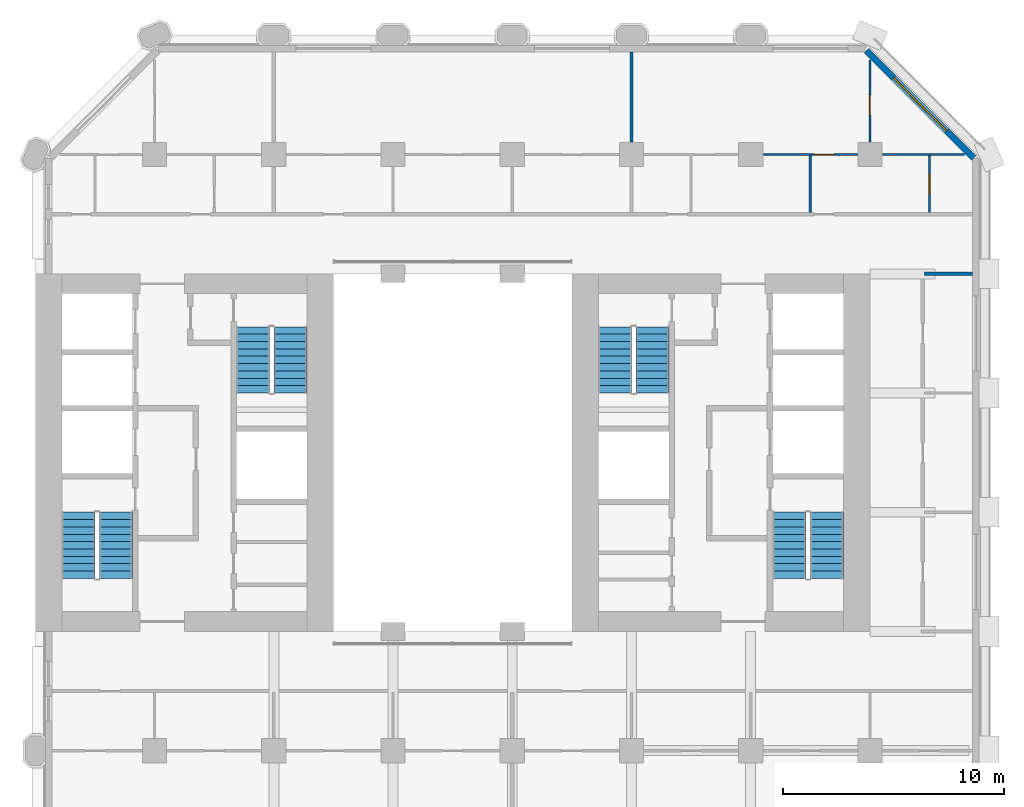
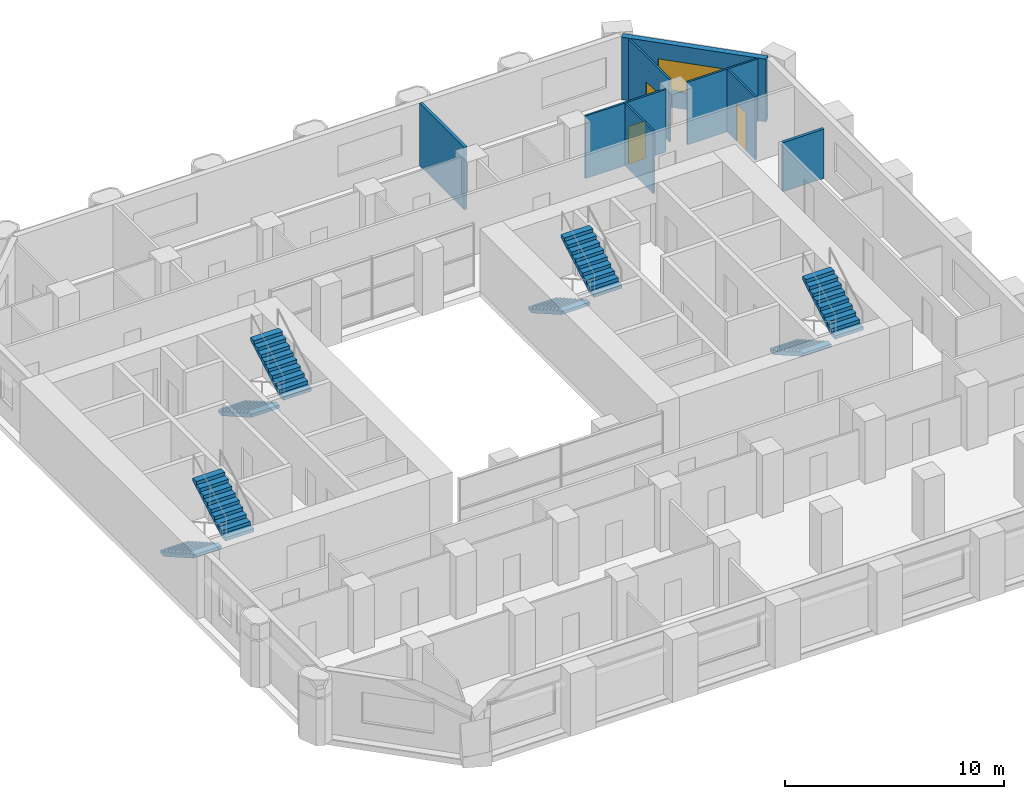
# One storey, part 11 of 13: 8 stair flights, 8 walls, 3 doors, 1 window, 4 openings, 4 elements without a shape of their own.
"""IFC4 building model written with IfcOpenShell, lengths in metres."""

import ifcopenshell
import ifcopenshell.guid

model = None  # the IFC model being written
_history = None  # IfcOwnerHistory: only IFC2X3 demands one
_inside = {}  # id of a spatial element -> (the spatial element, [elements in it])
_under = {}  # id of a project, library or spatial element -> (it, [spatial elements below it])
_declared = {}  # id of a project -> (the project, [libraries it declares])
_typed = {}  # id of a type object -> (the type object, [elements of that type])
_made_of = {}  # id of a material, layer set ... -> (it, [elements and type objects made of it])


def new_model(schema):
    """Start an empty IFC model of exactly this schema.

    Asked for "IFC4X3", IfcOpenShell would pick the latest addendum, in which some entities
    have other attributes; the version numbers below select the first issue.
    IFC2X3 requires an IfcOwnerHistory on every rooted entity: one is made here for all.
    """
    global model, _history
    if schema == "IFC4X3":
        model = ifcopenshell.file(schema_version=(4, 3, 0, 0))
    else:
        model = ifcopenshell.file(schema=schema)
    _inside.clear()
    _under.clear()
    _declared.clear()
    _typed.clear()
    _made_of.clear()
    _history = None
    if model.schema == "IFC2X3":
        org = make("IfcOrganization", Name="unknown")
        user = make(
            "IfcPersonAndOrganization",
            ThePerson=make("IfcPerson", FamilyName="unknown"),
            TheOrganization=org,
        )
        app = make(
            "IfcApplication",
            ApplicationDeveloper=org,
            Version="unknown",
            ApplicationFullName="unknown",
            ApplicationIdentifier="unknown",
        )
        _history = make(
            "IfcOwnerHistory",
            OwningUser=user,
            OwningApplication=app,
            ChangeAction="ADDED",
            CreationDate=0,
        )
    return model


def make(cls, **values):
    """One entity of the class cls with the attributes given. An attribute that is None is left unset."""
    return model.create_entity(
        cls, **{name: value for name, value in values.items() if value is not None}
    )


def rooted(cls, **values):
    """An entity with a GlobalId (a new one), such as an element, a storey or a relation."""
    return make(cls, GlobalId=ifcopenshell.guid.new(), OwnerHistory=_history, **values)


def si_unit(unit_type, name, prefix=None):
    """IfcSIUnit, for example si_unit("LENGTHUNIT", "METRE", prefix="MILLI")."""
    return make("IfcSIUnit", UnitType=unit_type, Prefix=prefix, Name=name)


def assignment(units):
    """IfcUnitAssignment: the units of a project."""
    return None if units is None else make("IfcUnitAssignment", Units=units)


def point(xyz):
    """IfcCartesianPoint."""
    return None if xyz is None else make("IfcCartesianPoint", Coordinates=xyz)


def direction(xyz):
    """IfcDirection."""
    return None if xyz is None else make("IfcDirection", DirectionRatios=xyz)


def frame(location, z_axis=None, x_axis=None):
    """IfcAxis2Placement3D, a coordinate frame: its origin and axes. An axis left out is left unset."""
    return make(
        "IfcAxis2Placement3D",
        Location=point(location),
        Axis=direction(z_axis),
        RefDirection=direction(x_axis),
    )


def frame_2d(location, x_axis=None):
    """IfcAxis2Placement2D, a coordinate frame in the plane: its origin and x axis."""
    return make(
        "IfcAxis2Placement2D", Location=point(location), RefDirection=direction(x_axis)
    )


def origin():
    """The frame at (0, 0, 0) with its axes left unset."""
    return frame((0.0, 0.0, 0.0))


def place(relative_to, where):
    """IfcLocalPlacement: puts the frame where relative to a parent placement (None: the world)."""
    return make(
        "IfcLocalPlacement", PlacementRelTo=relative_to, RelativePlacement=where
    )


def context(
    kind, dimensions, precision=None, world=None, true_north=None, identifier=None
):
    """IfcGeometricRepresentationContext, for example the 3D "Model" context."""
    return make(
        "IfcGeometricRepresentationContext",
        ContextIdentifier=identifier,
        ContextType=kind,
        CoordinateSpaceDimension=dimensions,
        Precision=precision,
        WorldCoordinateSystem=world,
        TrueNorth=true_north,
    )


def subcontext(parent, identifier, kind, view, scale=None):
    """IfcGeometricRepresentationSubContext, for example "Body" below "Model"."""
    return make(
        "IfcGeometricRepresentationSubContext",
        ContextIdentifier=identifier,
        ContextType=kind,
        ParentContext=parent,
        TargetScale=scale,
        TargetView=view,
    )


def project(units=None, contexts=None):
    """IfcProject with its units and contexts."""
    return rooted(
        "IfcProject",
        Name="project",
        RepresentationContexts=contexts,
        UnitsInContext=assignment(units),
    )


def spatial(cls, under=None, at=None, **own):
    """A site, building, storey or space (cls), placed at a placement, below another one or the project."""
    s = rooted(cls, ObjectPlacement=at, **own)
    if under is not None:
        _under.setdefault(under.id(), (under, []))[1].append(s)
    return s


def polyline(points):
    """IfcPolyline through the points."""
    return make("IfcPolyline", Points=[point(p) for p in points])


def profile(cls, at=None, kind="AREA", **sizes):
    """A parametric profile (cls). Its sizes go by their IFC names, for example OverallWidth=200.0."""
    return make(cls, ProfileType=kind, Position=at, **sizes)


def rectangle(**sizes):
    """IfcRectangleProfileDef."""
    return profile("IfcRectangleProfileDef", **sizes)


def outline(outer, holes=None, kind="AREA"):
    """IfcArbitraryClosedProfileDef: a profile drawn as a closed curve; with holes, ...WithVoids."""
    if holes is None:
        return make("IfcArbitraryClosedProfileDef", ProfileType=kind, OuterCurve=outer)
    return make(
        "IfcArbitraryProfileDefWithVoids",
        ProfileType=kind,
        OuterCurve=outer,
        InnerCurves=holes,
    )


def extrude(swept, where, along, depth):
    """IfcExtrudedAreaSolid: the profile swept, set in the frame where, extruded along a direction by depth."""
    return make(
        "IfcExtrudedAreaSolid",
        SweptArea=swept,
        Position=where,
        ExtrudedDirection=direction(along),
        Depth=depth,
    )


def shape(context_of_items, identifier, shape_type, items):
    """IfcShapeRepresentation: the items that make up one representation, for example the "Body"."""
    return make(
        "IfcShapeRepresentation",
        ContextOfItems=context_of_items,
        RepresentationIdentifier=identifier,
        RepresentationType=shape_type,
        Items=items,
    )


def material(Name=None, Category=None):
    """IfcMaterial."""
    return make("IfcMaterial", Name=Name, Category=Category)


def layer(
    of_material, thickness, ventilated=None, Name=None, Category=None, Priority=None
):
    """IfcMaterialLayer: one layer of a wall or slab, of a material (None: an air gap)."""
    return make(
        "IfcMaterialLayer",
        Material=of_material,
        LayerThickness=thickness,
        IsVentilated=ventilated,
        Name=Name,
        Category=Category,
        Priority=Priority,
    )


def layer_set(layers, Name=None):
    """IfcMaterialLayerSet."""
    return make("IfcMaterialLayerSet", MaterialLayers=layers, LayerSetName=Name)


def made_of(thing, what):
    """Note that an element or type object is made of a material, layer set ...; save() writes the relation."""
    if what is not None:
        _made_of.setdefault(what.id(), (what, []))[1].append(thing)
    return thing


def type_object(cls, material=None, **own):
    """A type object (cls), such as IfcWallType, which elements share."""
    return made_of(rooted(cls, **own), material)


def element(
    cls,
    number,
    at=None,
    inside=None,
    cuts=None,
    type_object=None,
    material=None,
    context=None,
    identifier="Body",
    shape_type=None,
    held_by="IfcProductDefinitionShape",
    body=None,
    shapes=None,
    **own,
):
    """One element of the class cls, such as IfcWall. Its Tag is "e" and its number.

    at: its placement. inside: the storey or other place that contains it. cuts: it is an
    opening in that element (IfcRelVoidsElement). A single representation is given by context,
    identifier, shape_type and body (its items); several are given by shapes. held_by: the class
    of the entity that holds the representations. save() writes the other relations.
    """
    e = rooted(cls, Tag="e%d" % number, ObjectPlacement=at, **own)
    if body is not None:
        shapes = [shape(context, identifier, shape_type, body)]
    if shapes is not None:
        e.Representation = make(held_by, Representations=shapes)
    if inside is not None:
        _inside.setdefault(inside.id(), (inside, []))[1].append(e)
    if cuts is not None:
        rooted(
            "IfcRelVoidsElement", RelatingBuildingElement=cuts, RelatedOpeningElement=e
        )
    if type_object is not None:
        _typed.setdefault(type_object.id(), (type_object, []))[1].append(e)
    return made_of(e, material)


def fill(opening, filler):
    """IfcRelFillsElement: the door or window that sits in an opening."""
    return rooted(
        "IfcRelFillsElement",
        RelatingOpeningElement=opening,
        RelatedBuildingElement=filler,
    )


def aggregate(whole, parts):
    """IfcRelAggregates: a whole, such as a stair, and the parts it consists of."""
    return rooted("IfcRelAggregates", RelatingObject=whole, RelatedObjects=parts)


def save(model, path):
    """Write the relations noted so far, then the file.

    IfcRelAggregates (storeys below a building ...), IfcRelContainedInSpatialStructure (elements
    in a storey), IfcRelDefinesByType, IfcRelAssociatesMaterial and IfcRelDeclares: one each for
    every whole, place, type object, material and project.
    """
    for whole, parts in _under.values():
        aggregate(whole, parts)
    for where, things in _inside.values():
        rooted(
            "IfcRelContainedInSpatialStructure",
            RelatedElements=things,
            RelatingStructure=where,
        )
    for kind, things in _typed.values():
        rooted("IfcRelDefinesByType", RelatedObjects=things, RelatingType=kind)
    for what, things in _made_of.values():
        rooted("IfcRelAssociatesMaterial", RelatedObjects=things, RelatingMaterial=what)
    for by, libraries in _declared.values():
        rooted("IfcRelDeclares", RelatingContext=by, RelatedDefinitions=libraries)
    model.write(path)


model = new_model("IFC4")

# Units and contexts
model_context = context("Model", 3, precision=1e-05, world=origin(), true_north=direction((0.0, 1.0)))
body_context = subcontext(model_context, "Body", "Model", "MODEL_VIEW")
ifc_project = project(units=[si_unit("LENGTHUNIT", "METRE"), si_unit("AREAUNIT", "SQUARE_METRE"), si_unit("VOLUMEUNIT", "CUBIC_METRE"), si_unit("PLANEANGLEUNIT", "RADIAN"), si_unit("MASSUNIT", "GRAM", prefix="KILO")], contexts=[model_context])

# Site, building, storey
site_placement = place(None, origin())
site = spatial("IfcSite", under=ifc_project, at=site_placement, CompositionType="ELEMENT")
building_placement = place(site_placement, origin())
building = spatial("IfcBuilding", under=site, at=building_placement, Name="Tabaq Tower and Sports Hall", CompositionType="ELEMENT")
storey_placement = place(building_placement, frame((0.0, 0.0, 48.800048828125)))
storey = spatial("IfcBuildingStorey", under=building, at=storey_placement, Name="L10", CompositionType="ELEMENT", Elevation=48.800048828125)

# Wall
ifc_material_1 = material(Name="Gypsum board on steel studs", Category="steel")
ifc_layer_1 = layer(ifc_material_1, 0.10009765625)
ifc_layer_set_1 = layer_set([ifc_layer_1], Name="Partition 100 Gypsum board")
wall_type_1 = type_object("IfcWallType", Name="Partition 100 Gypsum board", PredefinedType="PARTITIONING", material=ifc_layer_set_1)
wall_1_placement = place(storey_placement, frame((40.5, 35.175048828125, 0.0), z_axis=(0.0, 0.0, 1.0), x_axis=(0.0, 1.0, 0.0)))
element("IfcWall", 1, at=wall_1_placement, inside=storey, type_object=wall_type_1, Name="Partition wall L10", PredefinedType="PARTITIONING", context=body_context, shape_type="SweptSolid", body=[
    extrude(rectangle(XDim=2.574951171875, YDim=0.10009765625, at=frame_2d((1.28759765625, 0.0))), origin(), (0.0, 0.0, 1.0), 3.5),
])

# Wall, opening, door
wall_2_placement = place(storey_placement, frame((45.89990234375, 35.175048828125, 0.0), z_axis=(0.0, 0.0, 1.0), x_axis=(0.0, 1.0, 0.0)))
wall_2 = element("IfcWall", 2, at=wall_2_placement, inside=storey, type_object=wall_type_1, Name="Partition wall L10", PredefinedType="PARTITIONING", context=body_context, shape_type="SweptSolid", body=[
    extrude(rectangle(XDim=2.574951171875, YDim=0.10009765625, at=frame_2d((1.28759765625, 0.0))), origin(), (0.0, 0.0, 1.0), 3.5),
])
opening_1_placement = place(wall_2_placement, frame((0.824951171875, 0.0, 0.0)))
opening_1 = element("IfcOpeningElement", 3, at=opening_1_placement, cuts=wall_2, Name="Opening L10-011", PredefinedType="OPENING", context=body_context, shape_type="SweptSolid", body=[
    extrude(rectangle(XDim=0.89990234375, YDim=2.10009765625, at=frame_2d((0.449951171875, 1.050048828125))), frame((0.0, 0.050048828125, 0.0), z_axis=(0.0, -1.0, 0.0), x_axis=(1.0, 0.0, 0.0)), (0.0, 0.0, 1.0), 0.10009765625),
])
ifc_material_2 = material(Name="Timber leaf in steel frame", Category="steel")
door_type_1 = type_object("IfcDoorType", Name="Internal door 900 right hand", OperationType="SINGLE_SWING_RIGHT", PredefinedType="DOOR", material=ifc_material_2)
door_1_placement = place(opening_1_placement, origin())
door_1 = element("IfcDoor", 4, at=door_1_placement, inside=storey, type_object=door_type_1, Name="Internal door L10-011", OperationType="SINGLE_SWING_RIGHT", OverallHeight=2.10009765625, OverallWidth=0.89990234375, PredefinedType="DOOR", context=body_context, shape_type="SweptSolid", body=[
    extrude(rectangle(XDim=0.89990234375, YDim=2.10009765625, at=frame_2d((0.449951171875, 1.050048828125))), frame((0.0, 0.02490234375, 0.0), z_axis=(0.0, -1.0, 0.0), x_axis=(1.0, 0.0, 0.0)), (0.0, 0.0, 1.0), 0.050048828125),
])
fill(opening_1, door_1)

wall_3_placement = place(storey_placement, frame((42.6298828125, 37.800048828125, 0.0), z_axis=(0.0, 0.0, 1.0), x_axis=(-1.0, 0.0, 0.0)))
wall_3 = element("IfcWall", 5, at=wall_3_placement, inside=storey, type_object=wall_type_1, Name="Partition wall L10", PredefinedType="PARTITIONING", context=body_context, shape_type="SweptSolid", body=[
    extrude(rectangle(XDim=4.259765625, YDim=0.10009765625, at=frame_2d((2.1298828125, 0.0))), origin(), (0.0, 0.0, 1.0), 3.5),
])
opening_2_placement = place(wall_3_placement, frame((1.06005859375, 0.0, 0.0)))
opening_2 = element("IfcOpeningElement", 6, at=opening_2_placement, cuts=wall_3, Name="Opening L10-031", PredefinedType="OPENING", context=body_context, shape_type="SweptSolid", body=[
    extrude(rectangle(XDim=0.89990234375, YDim=2.10009765625, at=frame_2d((0.449951171875, 1.050048828125))), frame((0.0, 0.050048828125, 0.0), z_axis=(0.0, -1.0, 0.0), x_axis=(1.0, 0.0, 0.0)), (0.0, 0.0, 1.0), 0.10009765625),
])
ifc_material_3 = material(Name="Timber leaf in steel frame", Category="steel")
door_type_2 = type_object("IfcDoorType", Name="Internal door 900 left hand", OperationType="SINGLE_SWING_LEFT", PredefinedType="DOOR", material=ifc_material_3)
door_2_placement = place(opening_2_placement, origin())
door_2 = element("IfcDoor", 7, at=door_2_placement, inside=storey, type_object=door_type_2, Name="Internal door L10-031", OperationType="SINGLE_SWING_LEFT", OverallHeight=2.10009765625, OverallWidth=0.89990234375, PredefinedType="DOOR", context=body_context, shape_type="SweptSolid", body=[
    extrude(rectangle(XDim=0.89990234375, YDim=2.10009765625, at=frame_2d((0.449951171875, 1.050048828125))), frame((0.0, 0.02490234375, 0.0), z_axis=(0.0, -1.0, 0.0), x_axis=(1.0, 0.0, 0.0)), (0.0, 0.0, 1.0), 0.050048828125),
])
fill(opening_2, door_2)

# Wall
wall_4_placement = place(storey_placement, frame((47.48779296875, 37.800048828125, 0.0), z_axis=(0.0, 0.0, 1.0), x_axis=(-1.0, 0.0, 0.0)))
element("IfcWall", 8, at=wall_4_placement, inside=storey, type_object=wall_type_1, Name="Partition wall L10", PredefinedType="PARTITIONING", context=body_context, shape_type="SweptSolid", body=[
    extrude(rectangle(XDim=3.7177734375, YDim=0.10009765625, at=frame_2d((1.85888671875, 0.0))), origin(), (0.0, 0.0, 1.0), 3.5),
])

# Wall, opening, door
wall_5_placement = place(storey_placement, frame((43.199951171875, 38.3701171875, 0.0), z_axis=(0.0, 0.0, 1.0), x_axis=(0.0, 1.0, 0.0)))
wall_5 = element("IfcWall", 9, at=wall_5_placement, inside=storey, type_object=wall_type_1, Name="Partition wall L10", PredefinedType="PARTITIONING", context=body_context, shape_type="SweptSolid", body=[
    extrude(rectangle(XDim=3.7177734375, YDim=0.10009765625, at=frame_2d((1.85888671875, 0.0))), origin(), (0.0, 0.0, 1.0), 3.5),
])
opening_3_placement = place(wall_5_placement, frame((1.22998046875, 0.0, 0.0)))
opening_3 = element("IfcOpeningElement", 10, at=opening_3_placement, cuts=wall_5, Name="Opening L10-012", PredefinedType="OPENING", context=body_context, shape_type="SweptSolid", body=[
    extrude(rectangle(XDim=0.89990234375, YDim=2.10009765625, at=frame_2d((0.449951171875, 1.050048828125))), frame((0.0, 0.050048828125, 0.0), z_axis=(0.0, -1.0, 0.0), x_axis=(1.0, 0.0, 0.0)), (0.0, 0.0, 1.0), 0.10009765625),
])
door_3_placement = place(opening_3_placement, origin())
door_3 = element("IfcDoor", 11, at=door_3_placement, inside=storey, type_object=door_type_1, Name="Internal door L10-012", OperationType="SINGLE_SWING_RIGHT", OverallHeight=2.10009765625, OverallWidth=0.89990234375, PredefinedType="DOOR", context=body_context, shape_type="SweptSolid", body=[
    extrude(rectangle(XDim=0.89990234375, YDim=2.10009765625, at=frame_2d((0.449951171875, 1.050048828125))), frame((0.0, 0.02490234375, 0.0), z_axis=(0.0, -1.0, 0.0), x_axis=(1.0, 0.0, 0.0)), (0.0, 0.0, 1.0), 0.050048828125),
])
fill(opening_3, door_3)

# Walls
ifc_material_4 = material(Name="Blockwork", Category="masonry")
ifc_layer_2 = layer(ifc_material_4, 0.14990234375)
ifc_layer_set_2 = layer_set([ifc_layer_2], Name="Separating wall 150 Blockwork")
wall_type_2 = type_object("IfcWallType", Name="Separating wall 150 Blockwork", PredefinedType="PARTITIONING", material=ifc_layer_set_2)
wall_6_placement = place(storey_placement, frame((45.675048828125, 32.39990234375, 0.0), z_axis=(0.0, 0.0, 1.0), x_axis=(1.0, 0.0, 0.0)))
element("IfcWall", 12, at=wall_6_placement, inside=storey, type_object=wall_type_2, Name="Separating wall L10", PredefinedType="PARTITIONING", context=body_context, shape_type="SweptSolid", body=[
    extrude(rectangle(XDim=2.174072265625, YDim=0.14990234375, at=frame_2d((1.0869140625, 0.0))), origin(), (0.0, 0.0, 1.0), 2.75),
])
wall_7_placement = place(storey_placement, frame((32.39990234375, 38.3701171875, 0.0), z_axis=(0.0, 0.0, 1.0), x_axis=(0.0, 1.0, 0.0)))
element("IfcWall", 13, at=wall_7_placement, inside=storey, type_object=wall_type_2, Name="Separating wall L10", PredefinedType="PARTITIONING", context=body_context, shape_type="SweptSolid", body=[
    extrude(rectangle(XDim=4.078857421875, YDim=0.14990234375, at=frame_2d((2.03955078125, 0.0))), origin(), (0.0, 0.0, 1.0), 3.5),
])

# Wall, opening, window
ifc_material_5 = material(Name="White precast concrete C60/75", Category="concrete")
ifc_layer_3 = layer(ifc_material_5, 0.300048828125)
ifc_layer_set_3 = layer_set([ifc_layer_3], Name="White precast concrete C60/75 external wall 300")
wall_type_3 = type_object("IfcWallType", Name="White precast concrete C60/75 external wall 300", PredefinedType="SOLIDWALL", material=ifc_layer_set_3)
wall_8_placement = place(storey_placement, frame((47.901123046875, 37.650390625, 0.0), z_axis=(0.0, 0.0, 1.0), x_axis=(-0.707106781187, 0.707106781187, 0.0)))
wall_8 = element("IfcWall", 14, at=wall_8_placement, inside=storey, type_object=wall_type_3, Name="External Wall L10 NE", PredefinedType="SOLIDWALL", context=body_context, shape_type="SweptSolid", body=[
    extrude(rectangle(XDim=6.85986328125, YDim=0.300048828125, at=frame_2d((3.429931640625, 0.0))), origin(), (0.0, 0.0, 1.0), 3.5),
])
opening_4_placement = place(wall_8_placement, frame((1.729736328125, 0.0, 0.89990234375)))
opening_4 = element("IfcOpeningElement", 15, at=opening_4_placement, cuts=wall_8, Name="Opening W1A", PredefinedType="OPENING", context=body_context, shape_type="SweptSolid", body=[
    extrude(rectangle(XDim=3.39990234375, YDim=1.699951171875, at=frame_2d((1.699951171875, 0.85009765625))), frame((0.0, 0.16015625, 0.0), z_axis=(0.0, -1.0, 0.0), x_axis=(1.0, 0.0, 0.0)), (0.0, 0.0, 1.0), 0.320068359375),
])
ifc_material_6 = material(Name="Aluminium framed clear glazing", Category="aluminium")
window_type = type_object("IfcWindowType", Name="Window W1A", PartitioningType="SINGLE_PANEL", PredefinedType="WINDOW", material=ifc_material_6)
window_placement = place(opening_4_placement, origin())
window = element("IfcWindow", 16, at=window_placement, inside=storey, type_object=window_type, Name="Window W1A L10", OverallHeight=1.699951171875, OverallWidth=3.39990234375, PartitioningType="SINGLE_PANEL", PredefinedType="WINDOW", context=body_context, shape_type="SweptSolid", body=[
    extrude(rectangle(XDim=3.39990234375, YDim=1.699951171875, at=frame_2d((1.699951171875, 0.85009765625))), frame((0.0, 0.030029296875, 0.0), z_axis=(0.0, -1.0, 0.0), x_axis=(1.0, 0.0, 0.0)), (0.0, 0.0, 1.0), 0.06005859375),
])
fill(opening_4, window)

# Stair, stair flights
ifc_material_7 = material(Name="Concrete C40/50", Category="concrete")
stair_type = type_object("IfcStairType", Name="Exit stair", PredefinedType="HALF_TURN_STAIR", material=ifc_material_7)
stair_1_placement = place(storey_placement, origin())
stair_1 = element("IfcStair", 17, at=stair_1_placement, inside=storey, type_object=stair_type, Name="L10 Exit stair ST1", PredefinedType="HALF_TURN_STAIR")
ifc_material_8 = material(Name="Concrete C40/50", Category="concrete")
stair_flight_type = type_object("IfcStairFlightType", Name="Exit stair flight", PredefinedType="STRAIGHT", material=ifc_material_8)
stair_flight_1_placement = place(storey_placement, frame((7.35009765625, 21.60009765625, 0.0), z_axis=(0.0, 0.0, 1.0), x_axis=(0.0, -1.0, 0.0)))
stair_flight_1 = element("IfcStairFlight", 18, at=stair_flight_1_placement, type_object=stair_flight_type, Name="ST1 flight 1", NumberOfRisers=10, NumberOfTreads=9, PredefinedType="STRAIGHT", RiserHeight=0.19, TreadLength=0.333333333, context=body_context, shape_type="SweptSolid", body=[
    extrude(outline(polyline([(0.0, 0.0), (0.0, 0.18994140625), (0.333251953125, 0.18994140625), (0.333251953125, 0.3798828125), (0.666748046875, 0.3798828125), (0.666748046875, 0.570068359375), (1.0, 0.570068359375), (1.0, 0.760009765625), (1.333251953125, 0.760009765625), (1.333251953125, 0.949951171875), (1.666748046875, 0.949951171875), (1.666748046875, 1.139892578125), (2.0, 1.139892578125), (2.0, 1.330078125), (2.333251953125, 1.330078125), (2.333251953125, 1.52001953125), (2.666748046875, 1.52001953125), (2.666748046875, 1.7099609375), (3.0, 1.7099609375), (3.0, 1.89990234375), (3.0, 1.537353515625), (0.302734375, 0.0), (0.0, 0.0)])), frame((0.0, 0.75, 0.0), z_axis=(0.0, -1.0, 0.0), x_axis=(1.0, 0.0, 0.0)), (0.0, 0.0, 1.0), 1.5),
])
stair_flight_2_placement = place(storey_placement, frame((9.050048828125, 18.60009765625, 1.89990234375), z_axis=(0.0, 0.0, 1.0), x_axis=(0.0, 1.0, 0.0)))
stair_flight_2 = element("IfcStairFlight", 19, at=stair_flight_2_placement, type_object=stair_flight_type, Name="ST1 flight 2", NumberOfRisers=10, NumberOfTreads=9, PredefinedType="STRAIGHT", RiserHeight=0.19, TreadLength=0.333333333, context=body_context, shape_type="SweptSolid", body=[
    extrude(outline(polyline([(0.0, 0.0), (0.0, 0.18994140625), (0.333251953125, 0.18994140625), (0.333251953125, 0.3798828125), (0.666748046875, 0.3798828125), (0.666748046875, 0.570068359375), (1.0, 0.570068359375), (1.0, 0.760009765625), (1.333251953125, 0.760009765625), (1.333251953125, 0.949951171875), (1.666748046875, 0.949951171875), (1.666748046875, 1.139892578125), (2.0, 1.139892578125), (2.0, 1.330078125), (2.333251953125, 1.330078125), (2.333251953125, 1.52001953125), (2.666748046875, 1.52001953125), (2.666748046875, 1.7099609375), (3.0, 1.7099609375), (3.0, 1.89990234375), (3.0, 1.537353515625), (0.302734375, 0.0), (0.0, 0.0)])), frame((0.0, 0.75, 0.0), z_axis=(0.0, -1.0, 0.0), x_axis=(1.0, 0.0, 0.0)), (0.0, 0.0, 1.0), 1.5),
])
aggregate(stair_1, [stair_flight_1, stair_flight_2])

stair_2_placement = place(storey_placement, origin())
stair_2 = element("IfcStair", 20, at=stair_2_placement, inside=storey, type_object=stair_type, Name="L10 Exit stair ST2", PredefinedType="HALF_TURN_STAIR")
stair_flight_3_placement = place(storey_placement, frame((15.25, 30.0, 0.0), z_axis=(0.0, 0.0, 1.0), x_axis=(0.0, -1.0, 0.0)))
stair_flight_3 = element("IfcStairFlight", 21, at=stair_flight_3_placement, type_object=stair_flight_type, Name="ST2 flight 1", NumberOfRisers=10, NumberOfTreads=9, PredefinedType="STRAIGHT", RiserHeight=0.19, TreadLength=0.333333333, context=body_context, shape_type="SweptSolid", body=[
    extrude(outline(polyline([(0.0, 0.0), (0.0, 0.18994140625), (0.333251953125, 0.18994140625), (0.333251953125, 0.3798828125), (0.666748046875, 0.3798828125), (0.666748046875, 0.570068359375), (1.0, 0.570068359375), (1.0, 0.760009765625), (1.333251953125, 0.760009765625), (1.333251953125, 0.949951171875), (1.666748046875, 0.949951171875), (1.666748046875, 1.139892578125), (2.0, 1.139892578125), (2.0, 1.330078125), (2.333251953125, 1.330078125), (2.333251953125, 1.52001953125), (2.666748046875, 1.52001953125), (2.666748046875, 1.7099609375), (3.0, 1.7099609375), (3.0, 1.89990234375), (3.0, 1.537353515625), (0.302734375, 0.0), (0.0, 0.0)])), frame((0.0, 0.75, 0.0), z_axis=(0.0, -1.0, 0.0), x_axis=(1.0, 0.0, 0.0)), (0.0, 0.0, 1.0), 1.5),
])
stair_flight_4_placement = place(storey_placement, frame((16.949951171875, 27.0, 1.89990234375), z_axis=(0.0, 0.0, 1.0), x_axis=(0.0, 1.0, 0.0)))
stair_flight_4 = element("IfcStairFlight", 22, at=stair_flight_4_placement, type_object=stair_flight_type, Name="ST2 flight 2", NumberOfRisers=10, NumberOfTreads=9, PredefinedType="STRAIGHT", RiserHeight=0.19, TreadLength=0.333333333, context=body_context, shape_type="SweptSolid", body=[
    extrude(outline(polyline([(0.0, 0.0), (0.0, 0.18994140625), (0.333251953125, 0.18994140625), (0.333251953125, 0.3798828125), (0.666748046875, 0.3798828125), (0.666748046875, 0.570068359375), (1.0, 0.570068359375), (1.0, 0.760009765625), (1.333251953125, 0.760009765625), (1.333251953125, 0.949951171875), (1.666748046875, 0.949951171875), (1.666748046875, 1.139892578125), (2.0, 1.139892578125), (2.0, 1.330078125), (2.333251953125, 1.330078125), (2.333251953125, 1.52001953125), (2.666748046875, 1.52001953125), (2.666748046875, 1.7099609375), (3.0, 1.7099609375), (3.0, 1.89990234375), (3.0, 1.537353515625), (0.302734375, 0.0), (0.0, 0.0)])), frame((0.0, 0.75, 0.0), z_axis=(0.0, -1.0, 0.0), x_axis=(1.0, 0.0, 0.0)), (0.0, 0.0, 1.0), 1.5),
])
aggregate(stair_2, [stair_flight_3, stair_flight_4])

stair_3_placement = place(storey_placement, origin())
stair_3 = element("IfcStair", 23, at=stair_3_placement, inside=storey, type_object=stair_type, Name="L10 Exit stair ST3", PredefinedType="HALF_TURN_STAIR")
stair_flight_5_placement = place(storey_placement, frame((39.550048828125, 21.60009765625, 0.0), z_axis=(0.0, 0.0, 1.0), x_axis=(0.0, -1.0, 0.0)))
stair_flight_5 = element("IfcStairFlight", 24, at=stair_flight_5_placement, type_object=stair_flight_type, Name="ST3 flight 1", NumberOfRisers=10, NumberOfTreads=9, PredefinedType="STRAIGHT", RiserHeight=0.19, TreadLength=0.333333333, context=body_context, shape_type="SweptSolid", body=[
    extrude(outline(polyline([(0.0, 0.0), (0.0, 0.18994140625), (0.333251953125, 0.18994140625), (0.333251953125, 0.3798828125), (0.666748046875, 0.3798828125), (0.666748046875, 0.570068359375), (1.0, 0.570068359375), (1.0, 0.760009765625), (1.333251953125, 0.760009765625), (1.333251953125, 0.949951171875), (1.666748046875, 0.949951171875), (1.666748046875, 1.139892578125), (2.0, 1.139892578125), (2.0, 1.330078125), (2.333251953125, 1.330078125), (2.333251953125, 1.52001953125), (2.666748046875, 1.52001953125), (2.666748046875, 1.7099609375), (3.0, 1.7099609375), (3.0, 1.89990234375), (3.0, 1.537353515625), (0.302734375, 0.0), (0.0, 0.0)])), frame((0.0, 0.75, 0.0), z_axis=(0.0, -1.0, 0.0), x_axis=(1.0, 0.0, 0.0)), (0.0, 0.0, 1.0), 1.5),
])
stair_flight_6_placement = place(storey_placement, frame((41.25, 18.60009765625, 1.89990234375), z_axis=(0.0, 0.0, 1.0), x_axis=(0.0, 1.0, 0.0)))
stair_flight_6 = element("IfcStairFlight", 25, at=stair_flight_6_placement, type_object=stair_flight_type, Name="ST3 flight 2", NumberOfRisers=10, NumberOfTreads=9, PredefinedType="STRAIGHT", RiserHeight=0.19, TreadLength=0.333333333, context=body_context, shape_type="SweptSolid", body=[
    extrude(outline(polyline([(0.0, 0.0), (0.0, 0.18994140625), (0.333251953125, 0.18994140625), (0.333251953125, 0.3798828125), (0.666748046875, 0.3798828125), (0.666748046875, 0.570068359375), (1.0, 0.570068359375), (1.0, 0.760009765625), (1.333251953125, 0.760009765625), (1.333251953125, 0.949951171875), (1.666748046875, 0.949951171875), (1.666748046875, 1.139892578125), (2.0, 1.139892578125), (2.0, 1.330078125), (2.333251953125, 1.330078125), (2.333251953125, 1.52001953125), (2.666748046875, 1.52001953125), (2.666748046875, 1.7099609375), (3.0, 1.7099609375), (3.0, 1.89990234375), (3.0, 1.537353515625), (0.302734375, 0.0), (0.0, 0.0)])), frame((0.0, 0.75, 0.0), z_axis=(0.0, -1.0, 0.0), x_axis=(1.0, 0.0, 0.0)), (0.0, 0.0, 1.0), 1.5),
])
aggregate(stair_3, [stair_flight_5, stair_flight_6])

stair_4_placement = place(storey_placement, origin())
stair_4 = element("IfcStair", 26, at=stair_4_placement, inside=storey, type_object=stair_type, Name="L10 Exit stair ST4", PredefinedType="HALF_TURN_STAIR")
stair_flight_7_placement = place(storey_placement, frame((31.64990234375, 30.0, 0.0), z_axis=(0.0, 0.0, 1.0), x_axis=(0.0, -1.0, 0.0)))
stair_flight_7 = element("IfcStairFlight", 27, at=stair_flight_7_placement, type_object=stair_flight_type, Name="ST4 flight 1", NumberOfRisers=10, NumberOfTreads=9, PredefinedType="STRAIGHT", RiserHeight=0.19, TreadLength=0.333333333, context=body_context, shape_type="SweptSolid", body=[
    extrude(outline(polyline([(0.0, 0.0), (0.0, 0.18994140625), (0.333251953125, 0.18994140625), (0.333251953125, 0.3798828125), (0.666748046875, 0.3798828125), (0.666748046875, 0.570068359375), (1.0, 0.570068359375), (1.0, 0.760009765625), (1.333251953125, 0.760009765625), (1.333251953125, 0.949951171875), (1.666748046875, 0.949951171875), (1.666748046875, 1.139892578125), (2.0, 1.139892578125), (2.0, 1.330078125), (2.333251953125, 1.330078125), (2.333251953125, 1.52001953125), (2.666748046875, 1.52001953125), (2.666748046875, 1.7099609375), (3.0, 1.7099609375), (3.0, 1.89990234375), (3.0, 1.537353515625), (0.302734375, 0.0), (0.0, 0.0)])), frame((0.0, 0.75, 0.0), z_axis=(0.0, -1.0, 0.0), x_axis=(1.0, 0.0, 0.0)), (0.0, 0.0, 1.0), 1.5),
])
stair_flight_8_placement = place(storey_placement, frame((33.35009765625, 27.0, 1.89990234375), z_axis=(0.0, 0.0, 1.0), x_axis=(0.0, 1.0, 0.0)))
stair_flight_8 = element("IfcStairFlight", 28, at=stair_flight_8_placement, type_object=stair_flight_type, Name="ST4 flight 2", NumberOfRisers=10, NumberOfTreads=9, PredefinedType="STRAIGHT", RiserHeight=0.19, TreadLength=0.333333333, context=body_context, shape_type="SweptSolid", body=[
    extrude(outline(polyline([(0.0, 0.0), (0.0, 0.18994140625), (0.333251953125, 0.18994140625), (0.333251953125, 0.3798828125), (0.666748046875, 0.3798828125), (0.666748046875, 0.570068359375), (1.0, 0.570068359375), (1.0, 0.760009765625), (1.333251953125, 0.760009765625), (1.333251953125, 0.949951171875), (1.666748046875, 0.949951171875), (1.666748046875, 1.139892578125), (2.0, 1.139892578125), (2.0, 1.330078125), (2.333251953125, 1.330078125), (2.333251953125, 1.52001953125), (2.666748046875, 1.52001953125), (2.666748046875, 1.7099609375), (3.0, 1.7099609375), (3.0, 1.89990234375), (3.0, 1.537353515625), (0.302734375, 0.0), (0.0, 0.0)])), frame((0.0, 0.75, 0.0), z_axis=(0.0, -1.0, 0.0), x_axis=(1.0, 0.0, 0.0)), (0.0, 0.0, 1.0), 1.5),
])
aggregate(stair_4, [stair_flight_7, stair_flight_8])

save(model, "model.ifc")
